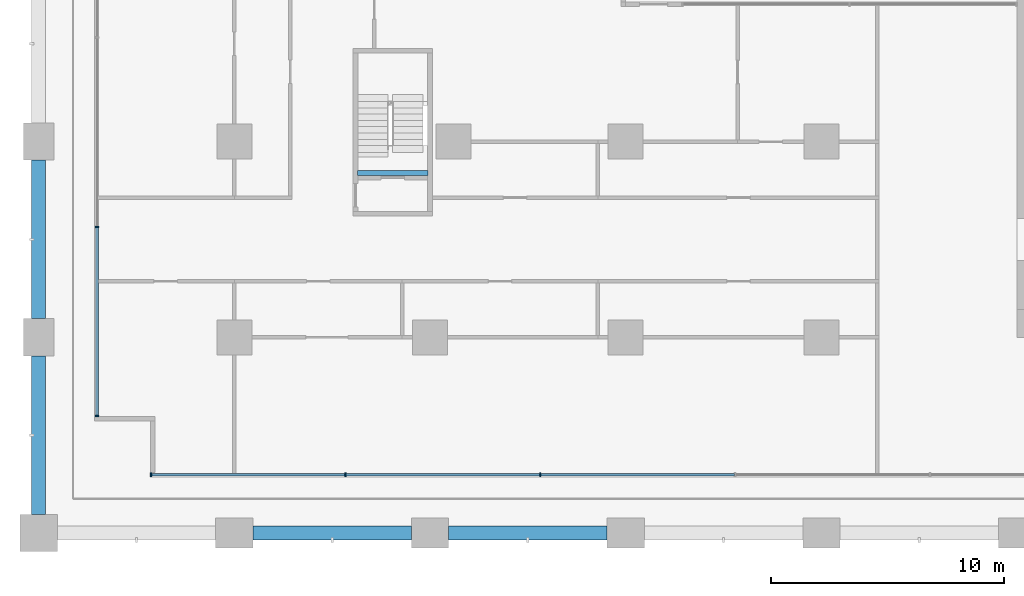
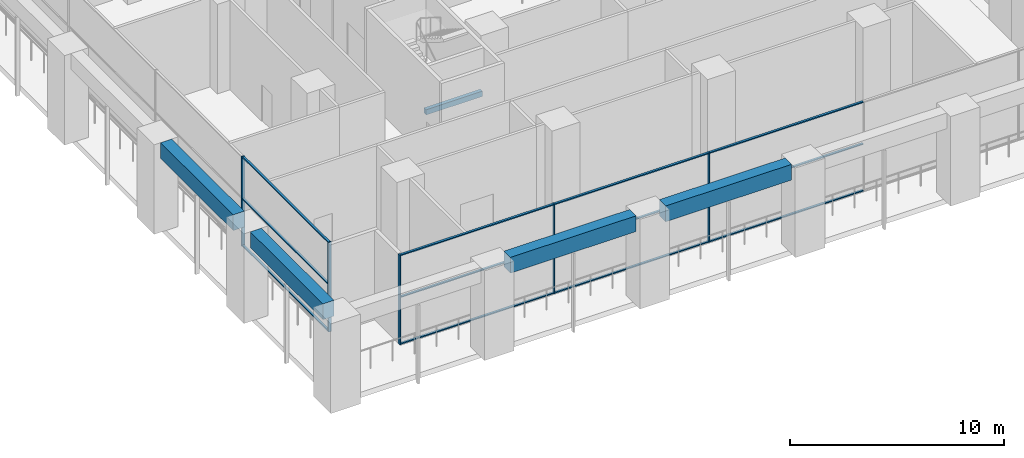
# One storey, part 2 of 32: 17 members, 5 beams, 2 elements without a shape of their own.
"""IFC4 building model written with IfcOpenShell, lengths in metres."""

from ifc_helpers import new_model, si_unit, direction, frame, origin, origin_2d, place, context, subcontext, project, spatial, rectangle, extrude, material, material_profile, profile_set, type_object, element, aggregate, save


model = new_model("IFC4")

# Units and contexts
model_context = context("Model", 3, precision=1e-05, world=origin(), true_north=direction((0.0, 1.0)))
body_context = subcontext(model_context, "Body", "Model", "MODEL_VIEW")
ifc_project = project(units=[si_unit("LENGTHUNIT", "METRE"), si_unit("AREAUNIT", "SQUARE_METRE"), si_unit("VOLUMEUNIT", "CUBIC_METRE"), si_unit("PLANEANGLEUNIT", "RADIAN"), si_unit("MASSUNIT", "GRAM", prefix="KILO")], contexts=[model_context])

# Site, building, storey
site_placement = place(None, origin())
site = spatial("IfcSite", under=ifc_project, at=site_placement, CompositionType="ELEMENT")
building_placement = place(site_placement, origin())
building = spatial("IfcBuilding", under=site, at=building_placement, Name="Vermilion Gate Residences", CompositionType="ELEMENT")
storey_placement = place(building_placement, frame((0.0, 0.0, 19.800048828125)))
storey = spatial("IfcBuildingStorey", under=building, at=storey_placement, Name="L03", CompositionType="ELEMENT", Elevation=19.800048828125)

# Curtain wall, members
ifc_material_1 = material(Name="Aluminium and glass", Category="aluminium")
curtain_wall_type = type_object("IfcCurtainWallType", Name="AMENITY GLAZING CURTAIN WALL", PredefinedType="NOTDEFINED", material=ifc_material_1)
curtain_wall_1_placement = place(storey_placement, origin())
curtain_wall_1 = element("IfcCurtainWall", 1, at=curtain_wall_1_placement, inside=storey, type_object=curtain_wall_type, Name="Amenity Glazing 30", PredefinedType="NOTDEFINED")
ifc_material_2 = material(Name="Aluminium", Category="aluminium")
ifc_material_profile_1 = material_profile(ifc_material_2, rectangle(XDim=0.159912109375, YDim=0.06005859375, at=origin_2d()), Name="MULLION 60 X 160")
ifc_profile_set_1 = profile_set([ifc_material_profile_1], Name="Aluminium")
member_type_1 = type_object("IfcMemberType", Name="AMENITY GLAZING MULLION 60 X 160", PredefinedType="MULLION", material=ifc_profile_set_1)
member_1_placement = place(storey_placement, frame((2.5, 13.13330078125, 0.0), z_axis=(0.0, 0.0, 1.0), x_axis=(1.0, 0.0, 0.0)))
member_1 = element("IfcMember", 2, at=member_1_placement, type_object=member_type_1, Name="ECW2 mullion 6", PredefinedType="MULLION", context=body_context, shape_type="SweptSolid", body=[
    extrude(rectangle(XDim=0.159912109375, YDim=0.06005859375, at=origin_2d()), origin(), (0.0, 0.0, 1.0), 5.119873046875),
])
member_2_placement = place(storey_placement, frame((2.5, 5.030029296875, 0.0), z_axis=(0.0, 0.0, 1.0), x_axis=(1.0, 0.0, 0.0)))
member_2 = element("IfcMember", 3, at=member_2_placement, type_object=member_type_1, Name="ECW2 mullion 7", PredefinedType="MULLION", context=body_context, shape_type="SweptSolid", body=[
    extrude(rectangle(XDim=0.159912109375, YDim=0.06005859375, at=origin_2d()), origin(), (0.0, 0.0, 1.0), 5.119873046875),
])

curtain_wall_2_placement = place(storey_placement, origin())
curtain_wall_2 = element("IfcCurtainWall", 4, at=curtain_wall_2_placement, inside=storey, type_object=curtain_wall_type, Name="Amenity Glazing 60", PredefinedType="NOTDEFINED")
member_3_placement = place(storey_placement, frame((4.830078125, 2.5, 0.0), z_axis=(0.0, 0.0, 1.0), x_axis=(0.0, 1.0, 0.0)))
member_3 = element("IfcMember", 5, at=member_3_placement, type_object=member_type_1, Name="ECW2 mullion 1", PredefinedType="MULLION", context=body_context, shape_type="SweptSolid", body=[
    extrude(rectangle(XDim=0.159912109375, YDim=0.06005859375, at=origin_2d()), origin(), (0.0, 0.0, 1.0), 5.119873046875),
])
member_4_placement = place(storey_placement, frame((13.166748046875, 2.5, 0.0), z_axis=(0.0, 0.0, 1.0), x_axis=(0.0, 1.0, 0.0)))
member_4 = element("IfcMember", 6, at=member_4_placement, type_object=member_type_1, Name="ECW2 mullion 2", PredefinedType="MULLION", context=body_context, shape_type="SweptSolid", body=[
    extrude(rectangle(XDim=0.159912109375, YDim=0.06005859375, at=origin_2d()), origin(), (0.0, 0.0, 1.0), 5.119873046875),
])
member_5_placement = place(storey_placement, frame((21.533447265625, 2.5, 0.0), z_axis=(0.0, 0.0, 1.0), x_axis=(0.0, 1.0, 0.0)))
member_5 = element("IfcMember", 7, at=member_5_placement, type_object=member_type_1, Name="ECW2 mullion 3", PredefinedType="MULLION", context=body_context, shape_type="SweptSolid", body=[
    extrude(rectangle(XDim=0.159912109375, YDim=0.06005859375, at=origin_2d()), origin(), (0.0, 0.0, 1.0), 5.119873046875),
])

# Member
ifc_material_3 = material(Name="Aluminium", Category="aluminium")
ifc_material_profile_2 = material_profile(ifc_material_3, rectangle(XDim=0.1201171875, YDim=0.06005859375, at=origin_2d()), Name="TRANSOM 60 X 120")
ifc_profile_set_2 = profile_set([ifc_material_profile_2], Name="Aluminium")
member_type_2 = type_object("IfcMemberType", Name="AMENITY GLAZING TRANSOM 60 X 120", PredefinedType="MULLION", material=ifc_profile_set_2)
member_6_placement = place(storey_placement, frame((2.5, 13.103271484375, 0.030029296875), z_axis=(0.0, -1.0, 0.0), x_axis=(1.0, 0.0, 0.0)))
member_6 = element("IfcMember", 8, at=member_6_placement, type_object=member_type_2, Name="ECW2 transom 6.1", PredefinedType="MULLION", context=body_context, shape_type="SweptSolid", body=[
    extrude(rectangle(XDim=0.1201171875, YDim=0.06005859375, at=origin_2d()), origin(), (0.0, 0.0, 1.0), 8.043212890625),
])

member_7_placement = place(storey_placement, frame((2.5, 13.103271484375, 2.699951171875), z_axis=(0.0, -1.0, 0.0), x_axis=(1.0, 0.0, 0.0)))
member_7 = element("IfcMember", 9, at=member_7_placement, type_object=member_type_2, Name="ECW2 transom 6.2", PredefinedType="MULLION", context=body_context, shape_type="SweptSolid", body=[
    extrude(rectangle(XDim=0.1201171875, YDim=0.06005859375, at=origin_2d()), origin(), (0.0, 0.0, 1.0), 8.043212890625),
])

member_8_placement = place(storey_placement, frame((2.5, 13.103271484375, 5.08984375), z_axis=(0.0, -1.0, 0.0), x_axis=(1.0, 0.0, 0.0)))
member_8 = element("IfcMember", 10, at=member_8_placement, type_object=member_type_2, Name="ECW2 transom 6.3", PredefinedType="MULLION", context=body_context, shape_type="SweptSolid", body=[
    extrude(rectangle(XDim=0.1201171875, YDim=0.06005859375, at=origin_2d()), origin(), (0.0, 0.0, 1.0), 8.043212890625),
])

aggregate(curtain_wall_1, [member_1, member_2, member_6, member_7, member_8])

member_9_placement = place(storey_placement, frame((4.860107421875, 2.5, 0.030029296875), z_axis=(1.0, 0.0, 0.0), x_axis=(0.0, 1.0, 0.0)))
member_9 = element("IfcMember", 11, at=member_9_placement, type_object=member_type_2, Name="ECW2 transom 1.1", PredefinedType="MULLION", context=body_context, shape_type="SweptSolid", body=[
    extrude(rectangle(XDim=0.1201171875, YDim=0.06005859375, at=origin_2d()), origin(), (0.0, 0.0, 1.0), 8.276611328125),
])

member_10_placement = place(storey_placement, frame((4.860107421875, 2.5, 2.699951171875), z_axis=(1.0, 0.0, 0.0), x_axis=(0.0, 1.0, 0.0)))
member_10 = element("IfcMember", 12, at=member_10_placement, type_object=member_type_2, Name="ECW2 transom 1.2", PredefinedType="MULLION", context=body_context, shape_type="SweptSolid", body=[
    extrude(rectangle(XDim=0.1201171875, YDim=0.06005859375, at=origin_2d()), origin(), (0.0, 0.0, 1.0), 8.276611328125),
])

member_11_placement = place(storey_placement, frame((4.860107421875, 2.5, 5.08984375), z_axis=(1.0, 0.0, 0.0), x_axis=(0.0, 1.0, 0.0)))
member_11 = element("IfcMember", 13, at=member_11_placement, type_object=member_type_2, Name="ECW2 transom 1.3", PredefinedType="MULLION", context=body_context, shape_type="SweptSolid", body=[
    extrude(rectangle(XDim=0.1201171875, YDim=0.06005859375, at=origin_2d()), origin(), (0.0, 0.0, 1.0), 8.276611328125),
])

member_12_placement = place(storey_placement, frame((13.19677734375, 2.5, 0.030029296875), z_axis=(1.0, 0.0, 0.0), x_axis=(0.0, 1.0, 0.0)))
member_12 = element("IfcMember", 14, at=member_12_placement, type_object=member_type_2, Name="ECW2 transom 2.1", PredefinedType="MULLION", context=body_context, shape_type="SweptSolid", body=[
    extrude(rectangle(XDim=0.1201171875, YDim=0.06005859375, at=origin_2d()), origin(), (0.0, 0.0, 1.0), 8.306640625),
])

member_13_placement = place(storey_placement, frame((13.19677734375, 2.5, 2.699951171875), z_axis=(1.0, 0.0, 0.0), x_axis=(0.0, 1.0, 0.0)))
member_13 = element("IfcMember", 15, at=member_13_placement, type_object=member_type_2, Name="ECW2 transom 2.2", PredefinedType="MULLION", context=body_context, shape_type="SweptSolid", body=[
    extrude(rectangle(XDim=0.1201171875, YDim=0.06005859375, at=origin_2d()), origin(), (0.0, 0.0, 1.0), 8.306640625),
])

member_14_placement = place(storey_placement, frame((13.19677734375, 2.5, 5.08984375), z_axis=(1.0, 0.0, 0.0), x_axis=(0.0, 1.0, 0.0)))
member_14 = element("IfcMember", 16, at=member_14_placement, type_object=member_type_2, Name="ECW2 transom 2.3", PredefinedType="MULLION", context=body_context, shape_type="SweptSolid", body=[
    extrude(rectangle(XDim=0.1201171875, YDim=0.06005859375, at=origin_2d()), origin(), (0.0, 0.0, 1.0), 8.306640625),
])

member_15_placement = place(storey_placement, frame((21.563232421875, 2.5, 0.030029296875), z_axis=(1.0, 0.0, 0.0), x_axis=(0.0, 1.0, 0.0)))
member_15 = element("IfcMember", 17, at=member_15_placement, type_object=member_type_2, Name="ECW2 transom 3.1", PredefinedType="MULLION", context=body_context, shape_type="SweptSolid", body=[
    extrude(rectangle(XDim=0.1201171875, YDim=0.06005859375, at=origin_2d()), origin(), (0.0, 0.0, 1.0), 8.306884765625),
])

member_16_placement = place(storey_placement, frame((21.563232421875, 2.5, 2.699951171875), z_axis=(1.0, 0.0, 0.0), x_axis=(0.0, 1.0, 0.0)))
member_16 = element("IfcMember", 18, at=member_16_placement, type_object=member_type_2, Name="ECW2 transom 3.2", PredefinedType="MULLION", context=body_context, shape_type="SweptSolid", body=[
    extrude(rectangle(XDim=0.1201171875, YDim=0.06005859375, at=origin_2d()), origin(), (0.0, 0.0, 1.0), 8.306884765625),
])

member_17_placement = place(storey_placement, frame((21.563232421875, 2.5, 5.08984375), z_axis=(1.0, 0.0, 0.0), x_axis=(0.0, 1.0, 0.0)))
member_17 = element("IfcMember", 19, at=member_17_placement, type_object=member_type_2, Name="ECW2 transom 3.3", PredefinedType="MULLION", context=body_context, shape_type="SweptSolid", body=[
    extrude(rectangle(XDim=0.1201171875, YDim=0.06005859375, at=origin_2d()), origin(), (0.0, 0.0, 1.0), 8.306884765625),
])

aggregate(curtain_wall_2, [member_3, member_4, member_5, member_9, member_10, member_11, member_12, member_13, member_14, member_15, member_16, member_17])

# Beams
ifc_material_4 = material(Name="Concrete C60 red-oxide pigmented", Category="concrete")
ifc_material_profile_3 = material_profile(ifc_material_4, rectangle(XDim=0.60009765625, YDim=0.89990234375, at=origin_2d()), Name="RC-600x900")
ifc_profile_set_3 = profile_set([ifc_material_profile_3], Name="Concrete C60 red-oxide pigmented")
beam_type_1 = type_object("IfcBeamType", Name="RC EDGE BEAM 600 X 900 C60", PredefinedType="BEAM", material=ifc_profile_set_3)
for number, where, z_axis, x_axis, name in (
    (20, (0.0, 0.800048828125, 4.669921875), (0.0, 1.0, 0.0), (-1.0, 0.0, 0.0), "Edge beam L03 2"),
    (21, (0.0, 9.199951171875, 4.669921875), (0.0, 1.0, 0.0), (-1.0, 0.0, 0.0), "Edge beam L03 3"),
    (22, (9.199951171875, 0.0, 4.669921875), (1.0, 0.0, 0.0), (0.0, 1.0, 0.0), "Edge beam L03 10"),
):
    element("IfcBeam", number, at=place(storey_placement, frame(where, z_axis=z_axis, x_axis=x_axis)), inside=storey, type_object=beam_type_1, Name=name, PredefinedType="BEAM", context=body_context, shape_type="SweptSolid", body=[
        extrude(rectangle(XDim=0.60009765625, YDim=0.89990234375, at=origin_2d()), origin(), (0.0, 0.0, 1.0), 6.800048828125),
    ])
beam_1_placement = place(storey_placement, frame((17.60009765625, 0.0, 4.669921875), z_axis=(1.0, 0.0, 0.0), x_axis=(0.0, 1.0, 0.0)))
element("IfcBeam", 23, at=beam_1_placement, inside=storey, type_object=beam_type_1, Name="Edge beam L03 11", PredefinedType="BEAM", context=body_context, shape_type="SweptSolid", body=[
    extrude(rectangle(XDim=0.60009765625, YDim=0.89990234375, at=origin_2d()), origin(), (0.0, 0.0, 1.0), 6.7998046875),
])
ifc_material_5 = material(Name="Concrete C50", Category="concrete")
ifc_material_profile_4 = material_profile(ifc_material_5, rectangle(XDim=0.199951171875, YDim=0.300048828125, at=origin_2d()), Name="RC-200x300")
ifc_profile_set_4 = profile_set([ifc_material_profile_4], Name="Concrete C50")
beam_type_2 = type_object("IfcBeamType", Name="RC LANDING BEAM 200 X 300 C50", PredefinedType="BEAM", material=ifc_profile_set_4)
beam_2_placement = place(storey_placement, frame((13.679931640625, 15.449951171875, 2.349853515625), z_axis=(1.0, 0.0, 0.0), x_axis=(0.0, 1.0, 0.0)))
element("IfcBeam", 24, at=beam_2_placement, inside=storey, type_object=beam_type_2, Name="Landing beam STC1-03 2", PredefinedType="BEAM", context=body_context, shape_type="SweptSolid", body=[
    extrude(rectangle(XDim=0.199951171875, YDim=0.300048828125, at=origin_2d()), origin(), (0.0, 0.0, 1.0), 3.0400390625),
])

save(model, "model.ifc")
